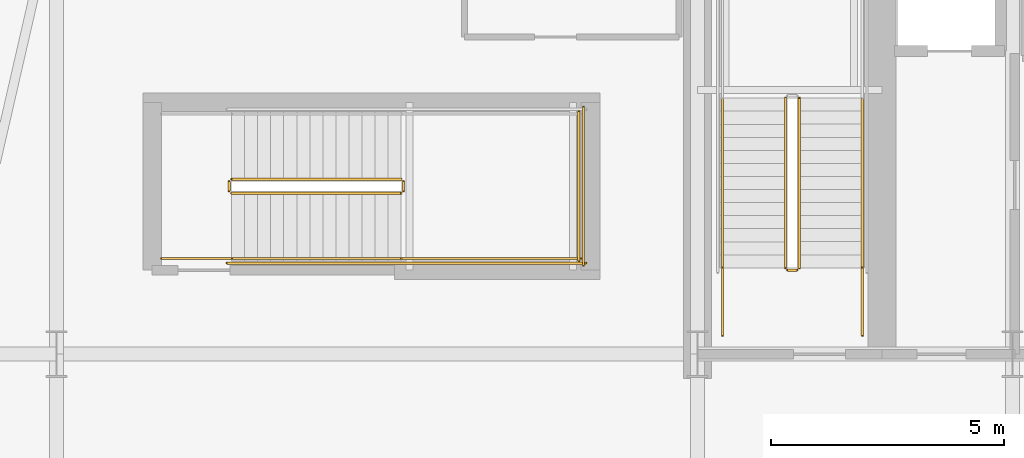
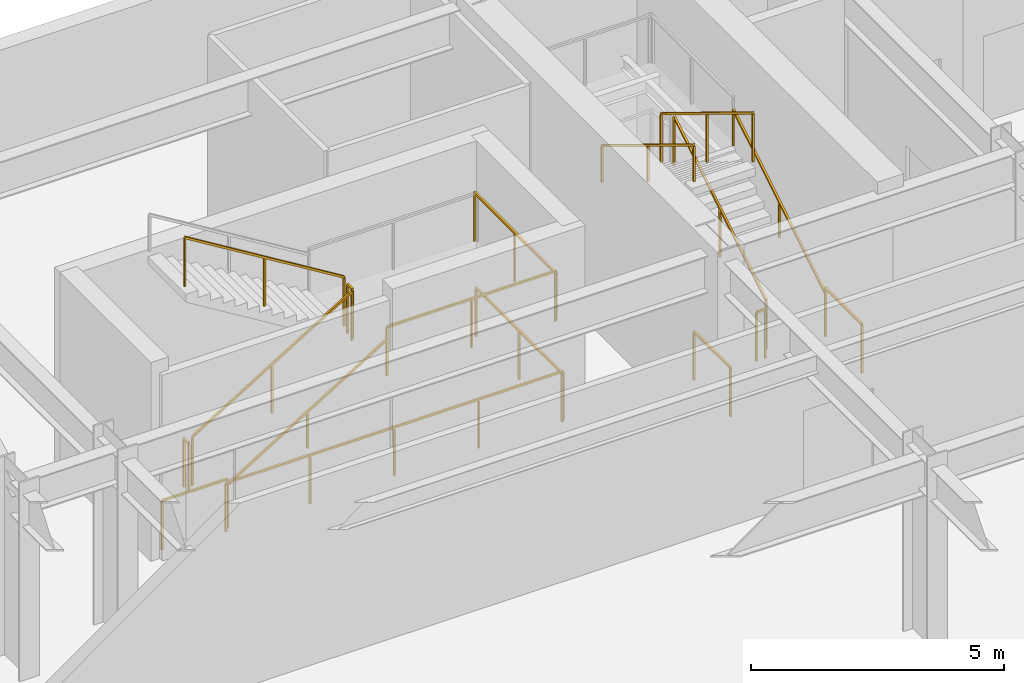
# One storey, part 18 of 25: 17 railings.
"""IFC4 building model written with IfcOpenShell, lengths in metres."""

from ifc_helpers import new_model, si_unit, direction, frame, origin, origin_2d, place, context, subcontext, project, spatial, rectangle, extrude, material, type_object, element, save


model = new_model("IFC4")

# Units and contexts
model_context = context("Model", 3, precision=1e-05, world=origin(), true_north=direction((0.0, 1.0)))
body_context = subcontext(model_context, "Body", "Model", "MODEL_VIEW")
ifc_project = project(units=[si_unit("LENGTHUNIT", "METRE"), si_unit("AREAUNIT", "SQUARE_METRE"), si_unit("VOLUMEUNIT", "CUBIC_METRE"), si_unit("PLANEANGLEUNIT", "RADIAN"), si_unit("MASSUNIT", "GRAM", prefix="KILO")], contexts=[model_context])

# Site, building, storey
site_placement = place(None, origin())
site = spatial("IfcSite", under=ifc_project, at=site_placement, CompositionType="ELEMENT")
building_placement = place(site_placement, origin())
building = spatial("IfcBuilding", under=site, at=building_placement, Name="Haevon Station Towers", CompositionType="ELEMENT")
storey_placement = place(building_placement, frame((0.0, 0.0, 6.0)))
storey = spatial("IfcBuildingStorey", under=building, at=storey_placement, Name="L01", CompositionType="ELEMENT", Elevation=6.0)

# Railings
ifc_material = material(Name="Steel S355", Category="steel")
railing_type_1 = type_object("IfcRailingType", Name="GRD-STR1200", PredefinedType="GUARDRAIL", material=ifc_material)
railing_1_placement = place(storey_placement, frame((26.179931640625, 40.050048828125, 0.17138671875)))
element("IfcRailing", 1, at=railing_1_placement, inside=storey, type_object=railing_type_1, Name="L01 ST1 Stair Guard 1", PredefinedType="GUARDRAIL", context=body_context, shape_type="SweptSolid", body=[
    extrude(rectangle(XDim=0.048095703125, YDim=0.048095703125, at=origin_2d()), frame((0.0, 0.0, 1.17578125), z_axis=(0.0, 0.852850264322, 0.5221555579), x_axis=(-1.0, 0.0, 0.0)), (0.0, 0.0, 1.0), 4.267822265625),
    extrude(rectangle(XDim=0.0419921875, YDim=0.0419921875, at=origin_2d()), origin(), (0.0, 0.0, 1.0), 1.15185546875),
    extrude(rectangle(XDim=0.0419921875, YDim=0.0419921875, at=origin_2d()), frame((0.0, 1.81982421875, 1.1142578125)), (0.0, 0.0, 1.0), 1.15185546875),
    extrude(rectangle(XDim=0.0419921875, YDim=0.0419921875, at=origin_2d()), frame((0.0, 3.639892578125, 2.228515625)), (0.0, 0.0, 1.0), 1.15185546875),
])
railing_2_placement = place(storey_placement, frame((25.8798828125, 43.68994140625, 2.571533203125)))
element("IfcRailing", 2, at=railing_2_placement, inside=storey, type_object=railing_type_1, Name="L01 ST1 Stair Guard 6", PredefinedType="GUARDRAIL", context=body_context, shape_type="SweptSolid", body=[
    extrude(rectangle(XDim=0.048095703125, YDim=0.048095703125, at=origin_2d()), frame((0.0, 0.0, 1.17578125), z_axis=(0.0, -0.852850264322, 0.5221555579), x_axis=(1.0, 0.0, 0.0)), (0.0, 0.0, 1.0), 4.267822265625),
    extrude(rectangle(XDim=0.0419921875, YDim=0.0419921875, at=origin_2d()), origin(), (0.0, 0.0, 1.0), 1.15185546875),
    extrude(rectangle(XDim=0.0419921875, YDim=0.0419921875, at=origin_2d()), frame((0.0, -1.81982421875, 1.1142578125)), (0.0, 0.0, 1.0), 1.15185546875),
    extrude(rectangle(XDim=0.0419921875, YDim=0.0419921875, at=origin_2d()), frame((0.0, -3.639892578125, 2.228515625)), (0.0, 0.0, 1.0), 1.15185546875),
])
railing_3_placement = place(storey_placement, frame((26.1298828125, 40.0, 0.0)))
element("IfcRailing", 3, at=railing_3_placement, inside=storey, type_object=railing_type_1, Name="L01 ST1 Stair Guard 7", PredefinedType="GUARDRAIL", context=body_context, shape_type="SweptSolid", body=[
    extrude(rectangle(XDim=0.048095703125, YDim=0.048095703125, at=origin_2d()), frame((0.0, 0.0, 1.17578125), z_axis=(-1.0, 0.0, 0.0), x_axis=(0.0, -1.0, 0.0)), (0.0, 0.0, 1.0), 0.199951171875),
    extrude(rectangle(XDim=0.0419921875, YDim=0.0419921875, at=origin_2d()), origin(), (0.0, 0.0, 1.0), 1.15185546875),
    extrude(rectangle(XDim=0.0419921875, YDim=0.0419921875, at=origin_2d()), frame((-0.199951171875, 0.0, 0.0)), (0.0, 0.0, 1.0), 1.15185546875),
])
for number, where, name in (
    (4, (27.530029296875, 38.60009765625, 0.0), "L01 ST1 Stair Guard 8"),
    (5, (24.530029296875, 38.60009765625, 0.0), "L01 ST1 Stair Guard 9"),
):
    element("IfcRailing", number, at=place(storey_placement, frame(where)), inside=storey, type_object=railing_type_1, Name=name, PredefinedType="GUARDRAIL", context=body_context, shape_type="SweptSolid", body=[
        extrude(rectangle(XDim=0.048095703125, YDim=0.048095703125, at=origin_2d()), frame((0.0, 0.0, 1.17578125), z_axis=(0.0, 1.0, 0.0), x_axis=(-1.0, 0.0, 0.0)), (0.0, 0.0, 1.0), 1.449951171875),
        extrude(rectangle(XDim=0.0419921875, YDim=0.0419921875, at=origin_2d()), origin(), (0.0, 0.0, 1.0), 1.15185546875),
        extrude(rectangle(XDim=0.0419921875, YDim=0.0419921875, at=origin_2d()), frame((0.0, 1.449951171875, 0.0)), (0.0, 0.0, 1.0), 1.15185546875),
    ])
railing_4_placement = place(storey_placement, frame((14.0, 41.64990234375, 0.17138671875)))
element("IfcRailing", 6, at=railing_4_placement, inside=storey, type_object=railing_type_1, Name="L01 ST5 Stair Guard 1", PredefinedType="GUARDRAIL", context=body_context, shape_type="SweptSolid", body=[
    extrude(rectangle(XDim=0.048095703125, YDim=0.048095703125, at=origin_2d()), frame((0.0, 0.0, 1.17578125), z_axis=(0.852850264322, 0.0, 0.5221555579), x_axis=(0.0, 1.0, 0.0)), (0.0, 0.0, 1.0), 4.267822265625),
    extrude(rectangle(XDim=0.0419921875, YDim=0.0419921875, at=origin_2d()), origin(), (0.0, 0.0, 1.0), 1.15185546875),
    extrude(rectangle(XDim=0.0419921875, YDim=0.0419921875, at=origin_2d()), frame((1.81982421875, 0.0, 1.1142578125)), (0.0, 0.0, 1.0), 1.15185546875),
    extrude(rectangle(XDim=0.0419921875, YDim=0.0419921875, at=origin_2d()), frame((3.639892578125, 0.0, 2.228515625)), (0.0, 0.0, 1.0), 1.15185546875),
])
railing_5_placement = place(storey_placement, frame((17.68994140625, 41.699951171875, 2.39990234375)))
element("IfcRailing", 7, at=railing_5_placement, inside=storey, type_object=railing_type_1, Name="L01 ST5 Stair Guard 2", PredefinedType="GUARDRAIL", context=body_context, shape_type="SweptSolid", body=[
    extrude(rectangle(XDim=0.048095703125, YDim=0.048095703125, at=origin_2d()), frame((0.0, 0.0, 1.17578125), z_axis=(0.0, 1.0, 0.0), x_axis=(-1.0, 0.0, 0.0)), (0.0, 0.0, 1.0), 0.199951171875),
    extrude(rectangle(XDim=0.0419921875, YDim=0.0419921875, at=origin_2d()), origin(), (0.0, 0.0, 1.0), 1.15185546875),
    extrude(rectangle(XDim=0.0419921875, YDim=0.0419921875, at=origin_2d()), frame((0.0, 0.199951171875, 0.0)), (0.0, 0.0, 1.0), 1.15185546875),
])
railing_6_placement = place(storey_placement, frame((17.639892578125, 40.25, 2.39990234375)))
element("IfcRailing", 8, at=railing_6_placement, inside=storey, type_object=railing_type_1, Name="L01 ST5 Stair Guard 3", PredefinedType="GUARDRAIL", context=body_context, shape_type="SweptSolid", body=[
    extrude(rectangle(XDim=0.048095703125, YDim=0.048095703125, at=origin_2d()), frame((0.0, 0.0, 1.17578125), z_axis=(1.0, 0.0, 0.0), x_axis=(0.0, 1.0, 0.0)), (0.0, 0.0, 1.0), 3.860107421875),
    extrude(rectangle(XDim=0.0419921875, YDim=0.0419921875, at=origin_2d()), origin(), (0.0, 0.0, 1.0), 1.15185546875),
    extrude(rectangle(XDim=0.0419921875, YDim=0.0419921875, at=origin_2d()), frame((1.93017578125, 0.0, 0.0)), (0.0, 0.0, 1.0), 1.15185546875),
    extrude(rectangle(XDim=0.0419921875, YDim=0.0419921875, at=origin_2d()), frame((3.860107421875, 0.0, 0.0)), (0.0, 0.0, 1.0), 1.15185546875),
])
railing_7_placement = place(storey_placement, frame((21.449951171875, 40.199951171875, 2.39990234375)))
element("IfcRailing", 9, at=railing_7_placement, inside=storey, type_object=railing_type_1, Name="L01 ST5 Stair Guard 5", PredefinedType="GUARDRAIL", context=body_context, shape_type="SweptSolid", body=[
    extrude(rectangle(XDim=0.048095703125, YDim=0.048095703125, at=origin_2d()), frame((0.0, 0.0, 1.17578125), z_axis=(0.0, 1.0, 0.0), x_axis=(-1.0, 0.0, 0.0)), (0.0, 0.0, 1.0), 3.199951171875),
    extrude(rectangle(XDim=0.0419921875, YDim=0.0419921875, at=origin_2d()), origin(), (0.0, 0.0, 1.0), 1.15185546875),
    extrude(rectangle(XDim=0.0419921875, YDim=0.0419921875, at=origin_2d()), frame((0.0, 1.60009765625, 0.0)), (0.0, 0.0, 1.0), 1.15185546875),
    extrude(rectangle(XDim=0.0419921875, YDim=0.0419921875, at=origin_2d()), frame((0.0, 3.199951171875, 0.0)), (0.0, 0.0, 1.0), 1.15185546875),
])
railing_8_placement = place(storey_placement, frame((17.639892578125, 41.949951171875, 2.571533203125)))
element("IfcRailing", 10, at=railing_8_placement, inside=storey, type_object=railing_type_1, Name="L01 ST5 Stair Guard 6", PredefinedType="GUARDRAIL", context=body_context, shape_type="SweptSolid", body=[
    extrude(rectangle(XDim=0.048095703125, YDim=0.048095703125, at=origin_2d()), frame((0.0, 0.0, 1.17578125), z_axis=(-0.852850264322, 0.0, 0.5221555579), x_axis=(0.0, -1.0, 0.0)), (0.0, 0.0, 1.0), 4.267822265625),
    extrude(rectangle(XDim=0.0419921875, YDim=0.0419921875, at=origin_2d()), origin(), (0.0, 0.0, 1.0), 1.15185546875),
    extrude(rectangle(XDim=0.0419921875, YDim=0.0419921875, at=origin_2d()), frame((-1.81982421875, 0.0, 1.1142578125)), (0.0, 0.0, 1.0), 1.15185546875),
    extrude(rectangle(XDim=0.0419921875, YDim=0.0419921875, at=origin_2d()), frame((-3.639892578125, 0.0, 2.228515625)), (0.0, 0.0, 1.0), 1.15185546875),
])
railing_9_placement = place(storey_placement, frame((13.949951171875, 41.699951171875, 0.0)))
element("IfcRailing", 11, at=railing_9_placement, inside=storey, type_object=railing_type_1, Name="L01 ST5 Stair Guard 7", PredefinedType="GUARDRAIL", context=body_context, shape_type="SweptSolid", body=[
    extrude(rectangle(XDim=0.048095703125, YDim=0.048095703125, at=origin_2d()), frame((0.0, 0.0, 1.17578125), z_axis=(0.0, 1.0, 0.0), x_axis=(-1.0, 0.0, 0.0)), (0.0, 0.0, 1.0), 0.199951171875),
    extrude(rectangle(XDim=0.0419921875, YDim=0.0419921875, at=origin_2d()), origin(), (0.0, 0.0, 1.0), 1.15185546875),
    extrude(rectangle(XDim=0.0419921875, YDim=0.0419921875, at=origin_2d()), frame((0.0, 0.199951171875, 0.0)), (0.0, 0.0, 1.0), 1.15185546875),
])
railing_10_placement = place(storey_placement, frame((12.5, 40.25, 0.0)))
element("IfcRailing", 12, at=railing_10_placement, inside=storey, type_object=railing_type_1, Name="L01 ST5 Stair Guard 8", PredefinedType="GUARDRAIL", context=body_context, shape_type="SweptSolid", body=[
    extrude(rectangle(XDim=0.048095703125, YDim=0.048095703125, at=origin_2d()), frame((0.0, 0.0, 1.17578125), z_axis=(1.0, 0.0, 0.0), x_axis=(0.0, 1.0, 0.0)), (0.0, 0.0, 1.0), 1.5),
    extrude(rectangle(XDim=0.0419921875, YDim=0.0419921875, at=origin_2d()), origin(), (0.0, 0.0, 1.0), 1.15185546875),
    extrude(rectangle(XDim=0.0419921875, YDim=0.0419921875, at=origin_2d()), frame((1.5, 0.0, 0.0)), (0.0, 0.0, 1.0), 1.15185546875),
])
railing_11_placement = place(storey_placement, frame((13.89990234375, 40.14990234375, 0.0)))
element("IfcRailing", 13, at=railing_11_placement, inside=storey, type_object=railing_type_1, Name="L01 ST5 Stair Guard 10", PredefinedType="GUARDRAIL", context=body_context, shape_type="SweptSolid", body=[
    extrude(rectangle(XDim=0.048095703125, YDim=0.048095703125, at=origin_2d()), frame((0.0, 0.0, 1.17578125), z_axis=(1.0, 0.0, 0.0), x_axis=(0.0, 1.0, 0.0)), (0.0, 0.0, 1.0), 7.7001953125),
    extrude(rectangle(XDim=0.0419921875, YDim=0.0419921875, at=origin_2d()), origin(), (0.0, 0.0, 1.0), 1.15185546875),
    extrude(rectangle(XDim=0.0419921875, YDim=0.0419921875, at=origin_2d()), frame((1.925048828125, 0.0, 0.0)), (0.0, 0.0, 1.0), 1.15185546875),
    extrude(rectangle(XDim=0.0419921875, YDim=0.0419921875, at=origin_2d()), frame((3.85009765625, 0.0, 0.0)), (0.0, 0.0, 1.0), 1.15185546875),
    extrude(rectangle(XDim=0.0419921875, YDim=0.0419921875, at=origin_2d()), frame((5.775146484375, 0.0, 0.0)), (0.0, 0.0, 1.0), 1.15185546875),
    extrude(rectangle(XDim=0.0419921875, YDim=0.0419921875, at=origin_2d()), frame((7.7001953125, 0.0, 0.0)), (0.0, 0.0, 1.0), 1.15185546875),
])
railing_12_placement = place(storey_placement, frame((21.550048828125, 40.10009765625, 0.0)))
element("IfcRailing", 14, at=railing_12_placement, inside=storey, type_object=railing_type_1, Name="L01 ST5 Stair Guard 12", PredefinedType="GUARDRAIL", context=body_context, shape_type="SweptSolid", body=[
    extrude(rectangle(XDim=0.048095703125, YDim=0.048095703125, at=origin_2d()), frame((0.0, 0.0, 1.17578125), z_axis=(0.0, 1.0, 0.0), x_axis=(-1.0, 0.0, 0.0)), (0.0, 0.0, 1.0), 3.39990234375),
    extrude(rectangle(XDim=0.0419921875, YDim=0.0419921875, at=origin_2d()), origin(), (0.0, 0.0, 1.0), 1.15185546875),
    extrude(rectangle(XDim=0.0419921875, YDim=0.0419921875, at=origin_2d()), frame((0.0, 1.699951171875, 0.0)), (0.0, 0.0, 1.0), 1.15185546875),
    extrude(rectangle(XDim=0.0419921875, YDim=0.0419921875, at=origin_2d()), frame((0.0, 3.39990234375, 0.0)), (0.0, 0.0, 1.0), 1.15185546875),
])
railing_type_2 = type_object("IfcRailingType", Name="HND-STR900", PredefinedType="HANDRAIL", material=ifc_material)
railing_13_placement = place(storey_placement, frame((27.530029296875, 40.050048828125, 0.17138671875)))
element("IfcRailing", 15, at=railing_13_placement, inside=storey, type_object=railing_type_2, Name="L01 ST1 Stair Handrail 1", PredefinedType="HANDRAIL", context=body_context, shape_type="SweptSolid", body=[
    extrude(rectangle(XDim=0.048095703125, YDim=0.048095703125, at=origin_2d()), frame((0.0, 0.0, 0.8759765625), z_axis=(0.0, 0.852850264322, 0.5221555579), x_axis=(-1.0, 0.0, 0.0)), (0.0, 0.0, 1.0), 4.267822265625),
    extrude(rectangle(XDim=0.0419921875, YDim=0.0419921875, at=origin_2d()), origin(), (0.0, 0.0, 1.0), 0.851806640625),
    extrude(rectangle(XDim=0.0419921875, YDim=0.0419921875, at=origin_2d()), frame((0.0, 1.81982421875, 1.1142578125)), (0.0, 0.0, 1.0), 0.851806640625),
    extrude(rectangle(XDim=0.0419921875, YDim=0.0419921875, at=origin_2d()), frame((0.0, 3.639892578125, 2.228515625)), (0.0, 0.0, 1.0), 0.851806640625),
])
railing_14_placement = place(storey_placement, frame((24.530029296875, 43.68994140625, 2.571533203125)))
element("IfcRailing", 16, at=railing_14_placement, inside=storey, type_object=railing_type_2, Name="L01 ST1 Stair Handrail 2", PredefinedType="HANDRAIL", context=body_context, shape_type="SweptSolid", body=[
    extrude(rectangle(XDim=0.048095703125, YDim=0.048095703125, at=origin_2d()), frame((0.0, 0.0, 0.8759765625), z_axis=(0.0, -0.852850264322, 0.5221555579), x_axis=(1.0, 0.0, 0.0)), (0.0, 0.0, 1.0), 4.267822265625),
    extrude(rectangle(XDim=0.0419921875, YDim=0.0419921875, at=origin_2d()), origin(), (0.0, 0.0, 1.0), 0.851806640625),
    extrude(rectangle(XDim=0.0419921875, YDim=0.0419921875, at=origin_2d()), frame((0.0, -1.81982421875, 1.1142578125)), (0.0, 0.0, 1.0), 0.851806640625),
    extrude(rectangle(XDim=0.0419921875, YDim=0.0419921875, at=origin_2d()), frame((0.0, -3.639892578125, 2.228515625)), (0.0, 0.0, 1.0), 0.851806640625),
])
railing_15_placement = place(storey_placement, frame((14.0, 40.25, 0.17138671875)))
element("IfcRailing", 17, at=railing_15_placement, inside=storey, type_object=railing_type_2, Name="L01 ST5 Stair Handrail 1", PredefinedType="HANDRAIL", context=body_context, shape_type="SweptSolid", body=[
    extrude(rectangle(XDim=0.048095703125, YDim=0.048095703125, at=origin_2d()), frame((0.0, 0.0, 0.8759765625), z_axis=(0.852850264322, 0.0, 0.5221555579), x_axis=(0.0, 1.0, 0.0)), (0.0, 0.0, 1.0), 4.267822265625),
    extrude(rectangle(XDim=0.0419921875, YDim=0.0419921875, at=origin_2d()), origin(), (0.0, 0.0, 1.0), 0.851806640625),
    extrude(rectangle(XDim=0.0419921875, YDim=0.0419921875, at=origin_2d()), frame((1.81982421875, 0.0, 1.1142578125)), (0.0, 0.0, 1.0), 0.851806640625),
    extrude(rectangle(XDim=0.0419921875, YDim=0.0419921875, at=origin_2d()), frame((3.639892578125, 0.0, 2.228515625)), (0.0, 0.0, 1.0), 0.851806640625),
])

save(model, "model.ifc")
